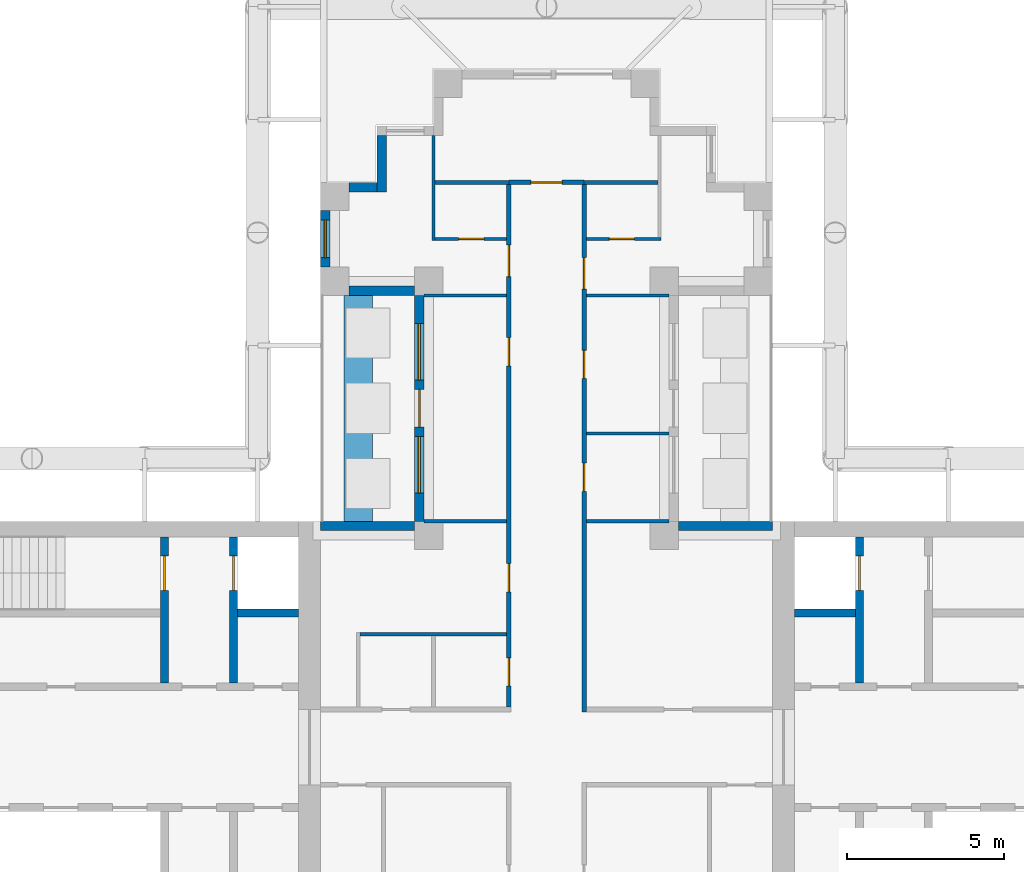
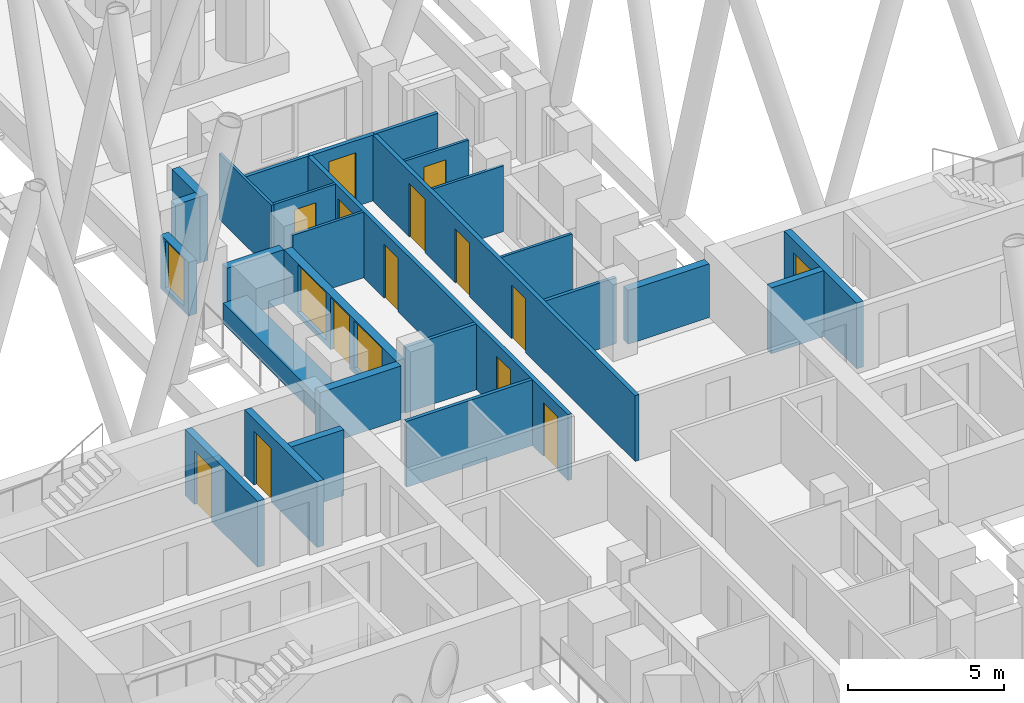
# One storey, part 10 of 16: 27 walls, 14 doors, 3 windows, 17 openings.
"""IFC4 building model written with IfcOpenShell, lengths in metres."""

from ifc_helpers import new_model, si_unit, direction, frame, frame_2d, origin, place, context, subcontext, project, spatial, rectangle, extrude, material, layer, layer_set, type_object, element, fill, save


model = new_model("IFC4")

# Units and contexts
model_context = context("Model", 3, precision=1e-05, world=origin(), true_north=direction((0.0, 1.0)))
body_context = subcontext(model_context, "Body", "Model", "MODEL_VIEW")
ifc_project = project(units=[si_unit("LENGTHUNIT", "METRE"), si_unit("AREAUNIT", "SQUARE_METRE"), si_unit("VOLUMEUNIT", "CUBIC_METRE"), si_unit("PLANEANGLEUNIT", "RADIAN"), si_unit("MASSUNIT", "GRAM", prefix="KILO")], contexts=[model_context])

# Site, building, storey
site_placement = place(None, origin())
site = spatial("IfcSite", under=ifc_project, at=site_placement, CompositionType="ELEMENT")
building_placement = place(site_placement, origin())
building = spatial("IfcBuilding", under=site, at=building_placement, Name="Fustian Cross Tower", CompositionType="ELEMENT")
storey_placement = place(building_placement, frame((0.0, 0.0, 66.89990234375)))
storey = spatial("IfcBuildingStorey", under=building, at=storey_placement, Name="L20", CompositionType="ELEMENT", Elevation=66.89990234375)

# Wall, openings, doors
ifc_material_1 = material(Name="Plasterboard on steel stud", Category="steel")
ifc_layer_1 = layer(ifc_material_1, 0.14990234375)
ifc_layer_set_1 = layer_set([ifc_layer_1], Name="Plasterboard on steel stud")
wall_type_1 = type_object("IfcWallType", Name="COMPARTMENT WALL 150 EI 60", PredefinedType="PARTITIONING", material=ifc_layer_set_1)
wall_1_placement = place(storey_placement, frame((-1.199951171875, 1.27490234375, 0.0), z_axis=(0.0, 0.0, 1.0), x_axis=(0.0, 1.0, 0.0)))
wall_1 = element("IfcWall", 1, at=wall_1_placement, inside=storey, type_object=wall_type_1, Name="Partition 50", PredefinedType="PARTITIONING", context=body_context, shape_type="SweptSolid", body=[
    extrude(rectangle(XDim=16.650146484375, YDim=0.14990234375, at=frame_2d((8.3251953125, 0.0))), origin(), (0.0, 0.0, 1.0), 2.5751953125),
])
opening_1_placement = place(wall_1_placement, frame((0.675048828125, 0.0, 0.0)))
opening_1 = element("IfcOpeningElement", 2, at=opening_1_placement, cuts=wall_1, Name="Opening D11002", PredefinedType="OPENING", context=body_context, shape_type="SweptSolid", body=[
    extrude(rectangle(XDim=0.89990234375, YDim=2.10009765625, at=frame_2d((0.449951171875, 1.050048828125))), frame((0.0, 0.0849609375, 0.0), z_axis=(0.0, -1.0, 0.0), x_axis=(1.0, 0.0, 0.0)), (0.0, 0.0, 1.0), 0.169921875),
])
opening_2_placement = place(wall_1_placement, frame((3.675048828125, 0.0, 0.0)))
opening_2 = element("IfcOpeningElement", 3, at=opening_2_placement, cuts=wall_1, Name="Opening D11004", PredefinedType="OPENING", context=body_context, shape_type="SweptSolid", body=[
    extrude(rectangle(XDim=0.89990234375, YDim=2.10009765625, at=frame_2d((0.449951171875, 1.050048828125))), frame((0.0, 0.0849609375, 0.0), z_axis=(0.0, -1.0, 0.0), x_axis=(1.0, 0.0, 0.0)), (0.0, 0.0, 1.0), 0.169921875),
])
opening_3_placement = place(wall_1_placement, frame((10.875, 0.0, 0.0)))
opening_3 = element("IfcOpeningElement", 4, at=opening_3_placement, cuts=wall_1, Name="Opening D11018", PredefinedType="OPENING", context=body_context, shape_type="SweptSolid", body=[
    extrude(rectangle(XDim=0.89990234375, YDim=2.10009765625, at=frame_2d((0.449951171875, 1.050048828125))), frame((0.0, 0.0849609375, 0.0), z_axis=(0.0, -1.0, 0.0), x_axis=(1.0, 0.0, 0.0)), (0.0, 0.0, 1.0), 0.169921875),
])
opening_4_placement = place(wall_1_placement, frame((13.72509765625, 0.0, 0.0)))
opening_4 = element("IfcOpeningElement", 5, at=opening_4_placement, cuts=wall_1, Name="Opening D11020", PredefinedType="OPENING", context=body_context, shape_type="SweptSolid", body=[
    extrude(rectangle(XDim=1.0, YDim=2.10009765625, at=frame_2d((0.5, 1.050048828125))), frame((0.0, 0.0849609375, 0.0), z_axis=(0.0, -1.0, 0.0), x_axis=(1.0, 0.0, 0.0)), (0.0, 0.0, 1.0), 0.169921875),
])
ifc_material_2 = material(Name="Timber fire door set", Category="wood")
door_type_1 = type_object("IfcDoorType", Name="FIRE SWING DOOR 1000 FD30S", OperationType="SINGLE_SWING_LEFT", PredefinedType="DOOR", material=ifc_material_2)
door_1_placement = place(opening_4_placement, origin())
door_1 = element("IfcDoor", 6, at=door_1_placement, inside=storey, type_object=door_type_1, Name="Door D11020", OperationType="SINGLE_SWING_RIGHT", OverallHeight=2.10009765625, OverallWidth=1.0, PredefinedType="DOOR", context=body_context, shape_type="SweptSolid", body=[
    extrude(rectangle(XDim=1.0, YDim=2.10009765625, at=frame_2d((0.5, 1.050048828125))), frame((0.0, 0.02490234375, 0.0), z_axis=(0.0, -1.0, 0.0), x_axis=(1.0, 0.0, 0.0)), (0.0, 0.0, 1.0), 0.050048828125),
])
fill(opening_4, door_1)
ifc_material_3 = material(Name="Timber fire door set", Category="wood")
door_type_2 = type_object("IfcDoorType", Name="FIRE SWING DOOR 900 FD30S", OperationType="SINGLE_SWING_LEFT", PredefinedType="DOOR", material=ifc_material_3)
door_2_placement = place(opening_1_placement, origin())
door_2 = element("IfcDoor", 7, at=door_2_placement, inside=storey, type_object=door_type_2, Name="Door D11002", OperationType="SINGLE_SWING_LEFT", OverallHeight=2.10009765625, OverallWidth=0.89990234375, PredefinedType="DOOR", context=body_context, shape_type="SweptSolid", body=[
    extrude(rectangle(XDim=0.89990234375, YDim=2.10009765625, at=frame_2d((0.449951171875, 1.050048828125))), frame((0.0, 0.02490234375, 0.0), z_axis=(0.0, -1.0, 0.0), x_axis=(1.0, 0.0, 0.0)), (0.0, 0.0, 1.0), 0.050048828125),
])
fill(opening_1, door_2)
door_3_placement = place(opening_2_placement, origin())
door_3 = element("IfcDoor", 8, at=door_3_placement, inside=storey, type_object=door_type_2, Name="Door D11004", OperationType="SINGLE_SWING_LEFT", OverallHeight=2.10009765625, OverallWidth=0.89990234375, PredefinedType="DOOR", context=body_context, shape_type="SweptSolid", body=[
    extrude(rectangle(XDim=0.89990234375, YDim=2.10009765625, at=frame_2d((0.449951171875, 1.050048828125))), frame((0.0, 0.02490234375, 0.0), z_axis=(0.0, -1.0, 0.0), x_axis=(1.0, 0.0, 0.0)), (0.0, 0.0, 1.0), 0.050048828125),
])
fill(opening_2, door_3)
door_4_placement = place(opening_3_placement, origin())
door_4 = element("IfcDoor", 9, at=door_4_placement, inside=storey, type_object=door_type_2, Name="Door D11018", OperationType="SINGLE_SWING_RIGHT", OverallHeight=2.10009765625, OverallWidth=0.89990234375, PredefinedType="DOOR", context=body_context, shape_type="SweptSolid", body=[
    extrude(rectangle(XDim=0.89990234375, YDim=2.10009765625, at=frame_2d((0.449951171875, 1.050048828125))), frame((0.0, 0.02490234375, 0.0), z_axis=(0.0, -1.0, 0.0), x_axis=(1.0, 0.0, 0.0)), (0.0, 0.0, 1.0), 0.050048828125),
])
fill(opening_3, door_4)

# Wall, opening, door
wall_2_placement = place(storey_placement, frame((-1.199951171875, 18.0, 0.0), z_axis=(0.0, 0.0, 1.0), x_axis=(1.0, 0.0, 0.0)))
wall_2 = element("IfcWall", 10, at=wall_2_placement, inside=storey, type_object=wall_type_1, Name="Partition 51", PredefinedType="PARTITIONING", context=body_context, shape_type="SweptSolid", body=[
    extrude(rectangle(XDim=2.39990234375, YDim=0.14990234375, at=frame_2d((1.199951171875, 0.0))), origin(), (0.0, 0.0, 1.0), 2.5751953125),
])
opening_5_placement = place(wall_2_placement, frame((0.699951171875, 0.0, 0.0)))
opening_5 = element("IfcOpeningElement", 11, at=opening_5_placement, cuts=wall_2, Name="Opening D11017", PredefinedType="OPENING", context=body_context, shape_type="SweptSolid", body=[
    extrude(rectangle(XDim=1.0, YDim=2.10009765625, at=frame_2d((0.5, 1.050048828125))), frame((0.0, 0.0849609375, 0.0), z_axis=(0.0, -1.0, 0.0), x_axis=(1.0, 0.0, 0.0)), (0.0, 0.0, 1.0), 0.169921875),
])
door_5_placement = place(opening_5_placement, origin())
door_5 = element("IfcDoor", 12, at=door_5_placement, inside=storey, type_object=door_type_1, Name="Door D11017", OperationType="SINGLE_SWING_LEFT", OverallHeight=2.10009765625, OverallWidth=1.0, PredefinedType="DOOR", context=body_context, shape_type="SweptSolid", body=[
    extrude(rectangle(XDim=1.0, YDim=2.10009765625, at=frame_2d((0.5, 1.050048828125))), frame((0.0, 0.02490234375, 0.0), z_axis=(0.0, -1.0, 0.0), x_axis=(1.0, 0.0, 0.0)), (0.0, 0.0, 1.0), 0.050048828125),
])
fill(opening_5, door_5)

# Wall, openings, doors
wall_3_placement = place(storey_placement, frame((1.199951171875, 1.125, 0.0), z_axis=(0.0, 0.0, 1.0), x_axis=(0.0, 1.0, 0.0)))
wall_3 = element("IfcWall", 13, at=wall_3_placement, inside=storey, type_object=wall_type_1, Name="Partition 60", PredefinedType="PARTITIONING", context=body_context, shape_type="SweptSolid", body=[
    extrude(rectangle(XDim=16.800048828125, YDim=0.14990234375, at=frame_2d((8.39990234375, 0.0))), origin(), (0.0, 0.0, 1.0), 2.5751953125),
])
opening_6_placement = place(wall_3_placement, frame((7.02490234375, 0.0, 0.0)))
opening_6 = element("IfcOpeningElement", 14, at=opening_6_placement, cuts=wall_3, Name="Opening D11021", PredefinedType="OPENING", context=body_context, shape_type="SweptSolid", body=[
    extrude(rectangle(XDim=0.89990234375, YDim=2.10009765625, at=frame_2d((0.449951171875, 1.050048828125))), frame((0.0, 0.0849609375, 0.0), z_axis=(0.0, -1.0, 0.0), x_axis=(1.0, 0.0, 0.0)), (0.0, 0.0, 1.0), 0.169921875),
])
opening_7_placement = place(wall_3_placement, frame((10.625, 0.0, 0.0)))
opening_7 = element("IfcOpeningElement", 15, at=opening_7_placement, cuts=wall_3, Name="Opening D11022", PredefinedType="OPENING", context=body_context, shape_type="SweptSolid", body=[
    extrude(rectangle(XDim=0.89990234375, YDim=2.10009765625, at=frame_2d((0.449951171875, 1.050048828125))), frame((0.0, 0.0849609375, 0.0), z_axis=(0.0, -1.0, 0.0), x_axis=(1.0, 0.0, 0.0)), (0.0, 0.0, 1.0), 0.169921875),
])
opening_8_placement = place(wall_3_placement, frame((13.47509765625, 0.0, 0.0)))
opening_8 = element("IfcOpeningElement", 16, at=opening_8_placement, cuts=wall_3, Name="Opening D11024", PredefinedType="OPENING", context=body_context, shape_type="SweptSolid", body=[
    extrude(rectangle(XDim=1.0, YDim=2.10009765625, at=frame_2d((0.5, 1.050048828125))), frame((0.0, 0.0849609375, 0.0), z_axis=(0.0, -1.0, 0.0), x_axis=(1.0, 0.0, 0.0)), (0.0, 0.0, 1.0), 0.169921875),
])
door_6_placement = place(opening_8_placement, frame((1.0, 0.0, 0.0), z_axis=(0.0, 0.0, 1.0), x_axis=(-1.0, 0.0, 0.0)))
door_6 = element("IfcDoor", 17, at=door_6_placement, inside=storey, type_object=door_type_1, Name="Door D11024", OperationType="SINGLE_SWING_RIGHT", OverallHeight=2.10009765625, OverallWidth=1.0, PredefinedType="DOOR", context=body_context, shape_type="SweptSolid", body=[
    extrude(rectangle(XDim=1.0, YDim=2.10009765625, at=frame_2d((0.5, 1.050048828125))), frame((0.0, 0.02490234375, 0.0), z_axis=(0.0, -1.0, 0.0), x_axis=(1.0, 0.0, 0.0)), (0.0, 0.0, 1.0), 0.050048828125),
])
fill(opening_8, door_6)
door_7_placement = place(opening_6_placement, frame((0.89990234375, 0.0, 0.0), z_axis=(0.0, 0.0, 1.0), x_axis=(-1.0, 0.0, 0.0)))
door_7 = element("IfcDoor", 18, at=door_7_placement, inside=storey, type_object=door_type_2, Name="Door D11021", OperationType="SINGLE_SWING_RIGHT", OverallHeight=2.10009765625, OverallWidth=0.89990234375, PredefinedType="DOOR", context=body_context, shape_type="SweptSolid", body=[
    extrude(rectangle(XDim=0.89990234375, YDim=2.10009765625, at=frame_2d((0.449951171875, 1.050048828125))), frame((0.0, 0.02490234375, 0.0), z_axis=(0.0, -1.0, 0.0), x_axis=(1.0, 0.0, 0.0)), (0.0, 0.0, 1.0), 0.050048828125),
])
fill(opening_6, door_7)
door_8_placement = place(opening_7_placement, frame((0.89990234375, 0.0, 0.0), z_axis=(0.0, 0.0, 1.0), x_axis=(-1.0, 0.0, 0.0)))
door_8 = element("IfcDoor", 19, at=door_8_placement, inside=storey, type_object=door_type_2, Name="Door D11022", OperationType="SINGLE_SWING_RIGHT", OverallHeight=2.10009765625, OverallWidth=0.89990234375, PredefinedType="DOOR", context=body_context, shape_type="SweptSolid", body=[
    extrude(rectangle(XDim=0.89990234375, YDim=2.10009765625, at=frame_2d((0.449951171875, 1.050048828125))), frame((0.0, 0.02490234375, 0.0), z_axis=(0.0, -1.0, 0.0), x_axis=(1.0, 0.0, 0.0)), (0.0, 0.0, 1.0), 0.050048828125),
])
fill(opening_7, door_8)

# Wall
ifc_material_4 = material(Name="Concrete C50/60", Category="concrete")
ifc_layer_2 = layer(ifc_material_4, 0.25)
ifc_layer_set_2 = layer_set([ifc_layer_2], Name="Concrete C50/60")
wall_type_2 = type_object("IfcWallType", Name="CORE SHAFT WALL 250 C50/60", PredefinedType="SHEAR", material=ifc_layer_set_2)
wall_4_placement = place(storey_placement, frame((7.89990234375, 4.27490234375, 0.0), z_axis=(0.0, 0.0, 1.0), x_axis=(1.0, 0.0, 0.0)))
element("IfcWall", 20, at=wall_4_placement, inside=storey, type_object=wall_type_2, Name="Core shaft wall", PredefinedType="SHEAR", context=body_context, shape_type="SweptSolid", body=[
    extrude(rectangle(XDim=1.9501953125, YDim=0.25, at=frame_2d((0.97509765625, 0.0))), origin(), (0.0, 0.0, 1.0), 2.5751953125),
])

# Wall, opening, door
wall_5_placement = place(storey_placement, frame((9.97509765625, 2.050048828125, 0.0), z_axis=(0.0, 0.0, 1.0), x_axis=(0.0, 1.0, 0.0)))
wall_5 = element("IfcWall", 21, at=wall_5_placement, inside=storey, type_object=wall_type_2, Name="Core shaft wall", PredefinedType="SHEAR", context=body_context, shape_type="SweptSolid", body=[
    extrude(rectangle(XDim=4.64990234375, YDim=0.25, at=frame_2d((2.324951171875, 0.0))), origin(), (0.0, 0.0, 1.0), 2.5751953125),
])
opening_9_placement = place(wall_5_placement, frame((2.949951171875, 0.0, 0.0)))
opening_9 = element("IfcOpeningElement", 22, at=opening_9_placement, cuts=wall_5, Name="Opening LD", PredefinedType="OPENING", context=body_context, shape_type="SweptSolid", body=[
    extrude(rectangle(XDim=1.10009765625, YDim=2.10009765625, at=frame_2d((0.550048828125, 1.050048828125))), frame((0.0, 0.135009765625, 0.0), z_axis=(0.0, -1.0, 0.0), x_axis=(1.0, 0.0, 0.0)), (0.0, 0.0, 1.0), 0.27001953125),
])
ifc_material_5 = material(Name="Stainless steel", Category="steel")
door_type_3 = type_object("IfcDoorType", Name="LIFT LANDING DOOR 1100X2100", OperationType="SLIDING_TO_LEFT", PredefinedType="DOOR", material=ifc_material_5)
door_9_placement = place(opening_9_placement, origin())
door_9 = element("IfcDoor", 23, at=door_9_placement, inside=storey, type_object=door_type_3, Name="Landing door FL1", OperationType="SLIDING_TO_LEFT", OverallHeight=2.10009765625, OverallWidth=1.10009765625, PredefinedType="DOOR", context=body_context, shape_type="SweptSolid", body=[
    extrude(rectangle(XDim=1.10009765625, YDim=2.10009765625, at=frame_2d((0.550048828125, 1.050048828125))), frame((0.0, 0.02490234375, 0.0), z_axis=(0.0, -1.0, 0.0), x_axis=(1.0, 0.0, 0.0)), (0.0, 0.0, 1.0), 0.050048828125),
])
fill(opening_9, door_9)

# Wall
wall_6_placement = place(storey_placement, frame((-7.89990234375, 4.27490234375, 0.0), z_axis=(0.0, 0.0, 1.0), x_axis=(-1.0, 0.0, 0.0)))
element("IfcWall", 24, at=wall_6_placement, inside=storey, type_object=wall_type_2, Name="Core shaft wall", PredefinedType="SHEAR", context=body_context, shape_type="SweptSolid", body=[
    extrude(rectangle(XDim=1.9501953125, YDim=0.25, at=frame_2d((0.97509765625, 0.0))), origin(), (0.0, 0.0, 1.0), 2.5751953125),
])

# Wall, opening, door
wall_7_placement = place(storey_placement, frame((-9.97509765625, 2.050048828125, 0.0), z_axis=(0.0, 0.0, 1.0), x_axis=(0.0, 1.0, 0.0)))
wall_7 = element("IfcWall", 25, at=wall_7_placement, inside=storey, type_object=wall_type_2, Name="Core shaft wall", PredefinedType="SHEAR", context=body_context, shape_type="SweptSolid", body=[
    extrude(rectangle(XDim=4.64990234375, YDim=0.25, at=frame_2d((2.324951171875, 0.0))), origin(), (0.0, 0.0, 1.0), 2.5751953125),
])
opening_10_placement = place(wall_7_placement, frame((2.949951171875, 0.0, 0.0)))
opening_10 = element("IfcOpeningElement", 26, at=opening_10_placement, cuts=wall_7, Name="Opening LD", PredefinedType="OPENING", context=body_context, shape_type="SweptSolid", body=[
    extrude(rectangle(XDim=1.10009765625, YDim=2.10009765625, at=frame_2d((0.550048828125, 1.050048828125))), frame((0.0, 0.135009765625, 0.0), z_axis=(0.0, -1.0, 0.0), x_axis=(1.0, 0.0, 0.0)), (0.0, 0.0, 1.0), 0.27001953125),
])
door_10_placement = place(opening_10_placement, origin())
door_10 = element("IfcDoor", 27, at=door_10_placement, inside=storey, type_object=door_type_3, Name="Landing door FL1W", OperationType="SLIDING_TO_LEFT", OverallHeight=2.10009765625, OverallWidth=1.10009765625, PredefinedType="DOOR", context=body_context, shape_type="SweptSolid", body=[
    extrude(rectangle(XDim=1.10009765625, YDim=2.10009765625, at=frame_2d((0.550048828125, 1.050048828125))), frame((0.0, 0.02490234375, 0.0), z_axis=(0.0, -1.0, 0.0), x_axis=(1.0, 0.0, 0.0)), (0.0, 0.0, 1.0), 0.050048828125),
])
fill(opening_10, door_10)

wall_8_placement = place(storey_placement, frame((-12.175048828125, 2.050048828125, 0.0), z_axis=(0.0, 0.0, 1.0), x_axis=(0.0, 1.0, 0.0)))
wall_8 = element("IfcWall", 28, at=wall_8_placement, inside=storey, type_object=wall_type_2, Name="Core shaft wall", PredefinedType="SHEAR", context=body_context, shape_type="SweptSolid", body=[
    extrude(rectangle(XDim=4.64990234375, YDim=0.25, at=frame_2d((2.324951171875, 0.0))), origin(), (0.0, 0.0, 1.0), 2.5751953125),
])
opening_11_placement = place(wall_8_placement, frame((2.949951171875, 0.0, 0.0)))
opening_11 = element("IfcOpeningElement", 29, at=opening_11_placement, cuts=wall_8, Name="Opening CD-09-20", PredefinedType="OPENING", context=body_context, shape_type="SweptSolid", body=[
    extrude(rectangle(XDim=1.10009765625, YDim=2.10009765625, at=frame_2d((0.550048828125, 1.050048828125))), frame((0.0, 0.135009765625, 0.0), z_axis=(0.0, -1.0, 0.0), x_axis=(1.0, 0.0, 0.0)), (0.0, 0.0, 1.0), 0.27001953125),
])
ifc_material_6 = material(Name="Steel", Category="steel")
door_type_4 = type_object("IfcDoorType", Name="FIRE DOOR FD60S 1100X2100", OperationType="SINGLE_SWING_LEFT", PredefinedType="DOOR", material=ifc_material_6)
door_11_placement = place(opening_11_placement, origin())
door_11 = element("IfcDoor", 30, at=door_11_placement, inside=storey, type_object=door_type_4, Name="Core door CD-09-20", OperationType="SINGLE_SWING_LEFT", OverallHeight=2.10009765625, OverallWidth=1.10009765625, PredefinedType="DOOR", context=body_context, shape_type="SweptSolid", body=[
    extrude(rectangle(XDim=1.10009765625, YDim=2.10009765625, at=frame_2d((0.550048828125, 1.050048828125))), frame((0.0, 0.02490234375, 0.0), z_axis=(0.0, -1.0, 0.0), x_axis=(1.0, 0.0, 0.0)), (0.0, 0.0, 1.0), 0.050048828125),
])
fill(opening_11, door_11)

# Walls
ifc_material_7 = material(Name="Plasterboard on steel stud", Category="steel")
ifc_layer_3 = layer(ifc_material_7, 0.10009765625)
ifc_layer_set_3 = layer_set([ifc_layer_3], Name="Plasterboard on steel stud")
wall_type_3 = type_object("IfcWallType", Name="PARTITION 100 STUD", PredefinedType="PARTITIONING", material=ifc_layer_set_3)
wall_9_placement = place(storey_placement, frame((-3.89990234375, 14.39990234375, 0.0), z_axis=(0.0, 0.0, 1.0), x_axis=(1.0, 0.0, 0.0)))
element("IfcWall", 31, at=wall_9_placement, inside=storey, type_object=wall_type_3, Name="Partition 42", PredefinedType="PARTITIONING", context=body_context, shape_type="SweptSolid", body=[
    extrude(rectangle(XDim=2.625, YDim=0.10009765625, at=frame_2d((1.3125, 0.0))), origin(), (0.0, 0.0, 1.0), 2.5751953125),
])
wall_10_placement = place(storey_placement, frame((-3.60009765625, 16.14990234375, 0.0), z_axis=(0.0, 0.0, 1.0), x_axis=(0.0, 1.0, 0.0)))
element("IfcWall", 32, at=wall_10_placement, inside=storey, type_object=wall_type_3, Name="Partition 44", PredefinedType="PARTITIONING", context=body_context, shape_type="SweptSolid", body=[
    extrude(rectangle(XDim=3.35009765625, YDim=0.10009765625, at=frame_2d((1.675048828125, 0.0))), origin(), (0.0, 0.0, 1.0), 2.5751953125),
])

# Wall, opening, door
wall_11_placement = place(storey_placement, frame((-3.550048828125, 16.199951171875, 0.0), z_axis=(0.0, 0.0, 1.0), x_axis=(1.0, 0.0, 0.0)))
wall_11 = element("IfcWall", 33, at=wall_11_placement, inside=storey, type_object=wall_type_3, Name="Partition 45", PredefinedType="PARTITIONING", context=body_context, shape_type="SweptSolid", body=[
    extrude(rectangle(XDim=2.275146484375, YDim=0.10009765625, at=frame_2d((1.1376953125, 0.0))), origin(), (0.0, 0.0, 1.0), 2.5751953125),
])
opening_12_placement = place(wall_11_placement, frame((0.75, 0.0, 0.0)))
opening_12 = element("IfcOpeningElement", 34, at=opening_12_placement, cuts=wall_11, Name="Opening D11019", PredefinedType="OPENING", context=body_context, shape_type="SweptSolid", body=[
    extrude(rectangle(XDim=0.800048828125, YDim=2.10009765625, at=frame_2d((0.39990234375, 1.050048828125))), frame((0.0, 0.06005859375, 0.0), z_axis=(0.0, -1.0, 0.0), x_axis=(1.0, 0.0, 0.0)), (0.0, 0.0, 1.0), 0.1201171875),
])
ifc_material_8 = material(Name="Painted timber", Category="wood")
door_type_5 = type_object("IfcDoorType", Name="SWING DOOR 800", OperationType="SINGLE_SWING_LEFT", PredefinedType="DOOR", material=ifc_material_8)
door_12_placement = place(opening_12_placement, origin())
door_12 = element("IfcDoor", 35, at=door_12_placement, inside=storey, type_object=door_type_5, Name="Door D11019", OperationType="SINGLE_SWING_LEFT", OverallHeight=2.10009765625, OverallWidth=0.800048828125, PredefinedType="DOOR", context=body_context, shape_type="SweptSolid", body=[
    extrude(rectangle(XDim=0.800048828125, YDim=2.10009765625, at=frame_2d((0.39990234375, 1.050048828125))), frame((0.0, 0.02490234375, 0.0), z_axis=(0.0, -1.0, 0.0), x_axis=(1.0, 0.0, 0.0)), (0.0, 0.0, 1.0), 0.050048828125),
])
fill(opening_12, door_12)

# Walls
for number, where, z_axis, x_axis, name in (
    (36, (1.27490234375, 10.0, 0.0), (0.0, 0.0, 1.0), (1.0, 0.0, 0.0), "Partition 63"),
    (37, (1.27490234375, 14.39990234375, 0.0), (0.0, 0.0, 1.0), (1.0, 0.0, 0.0), "Partition 64"),
):
    element("IfcWall", number, at=place(storey_placement, frame(where, z_axis=z_axis, x_axis=x_axis)), inside=storey, type_object=wall_type_3, Name=name, PredefinedType="PARTITIONING", context=body_context, shape_type="SweptSolid", body=[
        extrude(rectangle(XDim=2.625, YDim=0.10009765625, at=frame_2d((1.3125, 0.0))), origin(), (0.0, 0.0, 1.0), 2.5751953125),
    ])

# Wall, opening, door
wall_12_placement = place(storey_placement, frame((1.27490234375, 16.199951171875, 0.0), z_axis=(0.0, 0.0, 1.0), x_axis=(1.0, 0.0, 0.0)))
wall_12 = element("IfcWall", 38, at=wall_12_placement, inside=storey, type_object=wall_type_3, Name="Partition 65", PredefinedType="PARTITIONING", context=body_context, shape_type="SweptSolid", body=[
    extrude(rectangle(XDim=2.375, YDim=0.10009765625, at=frame_2d((1.1875, 0.0))), origin(), (0.0, 0.0, 1.0), 2.5751953125),
])
opening_13_placement = place(wall_12_placement, frame((0.72509765625, 0.0, 0.0)))
opening_13 = element("IfcOpeningElement", 39, at=opening_13_placement, cuts=wall_12, Name="Opening D11023", PredefinedType="OPENING", context=body_context, shape_type="SweptSolid", body=[
    extrude(rectangle(XDim=0.800048828125, YDim=2.10009765625, at=frame_2d((0.39990234375, 1.050048828125))), frame((0.0, 0.06005859375, 0.0), z_axis=(0.0, -1.0, 0.0), x_axis=(1.0, 0.0, 0.0)), (0.0, 0.0, 1.0), 0.1201171875),
])
door_13_placement = place(opening_13_placement, origin())
door_13 = element("IfcDoor", 40, at=door_13_placement, inside=storey, type_object=door_type_5, Name="Door D11023", OperationType="SINGLE_SWING_LEFT", OverallHeight=2.10009765625, OverallWidth=0.800048828125, PredefinedType="DOOR", context=body_context, shape_type="SweptSolid", body=[
    extrude(rectangle(XDim=0.800048828125, YDim=2.10009765625, at=frame_2d((0.39990234375, 1.050048828125))), frame((0.0, 0.02490234375, 0.0), z_axis=(0.0, -1.0, 0.0), x_axis=(1.0, 0.0, 0.0)), (0.0, 0.0, 1.0), 0.050048828125),
])
fill(opening_13, door_13)

# Walls
ifc_material_9 = material(Name="Concrete C40/50", Category="concrete")
ifc_layer_4 = layer(ifc_material_9, 0.89990234375)
ifc_layer_set_4 = layer_set([ifc_layer_4], Name="Concrete C40/50")
wall_type_4 = type_object("IfcWallType", Name="PK1 PLANTER 900", PredefinedType="PARAPET", material=ifc_layer_set_4)
wall_13_placement = place(storey_placement, frame((-6.0, 7.199951171875, 0.0), z_axis=(0.0, 0.0, 1.0), x_axis=(0.0, 1.0, 0.0)))
element("IfcWall", 41, at=wall_13_placement, inside=storey, type_object=wall_type_4, Name="PLANTER", PredefinedType="PARAPET", context=body_context, shape_type="SweptSolid", body=[
    extrude(rectangle(XDim=7.199951171875, YDim=0.89990234375, at=frame_2d((3.60009765625, 0.0))), origin(), (0.0, 0.0, 1.0), 0.800048828125),
])
ifc_material_10 = material(Name="Plasterboard on steel stud", Category="steel")
ifc_layer_5 = layer(ifc_material_10, 0.125)
ifc_layer_set_5 = layer_set([ifc_layer_5], Name="Plasterboard on steel stud")
wall_type_5 = type_object("IfcWallType", Name="WET WALL 125 STUD", PredefinedType="PARTITIONING", material=ifc_layer_set_5)
wall_14_placement = place(storey_placement, frame((-5.9375, 3.60009765625, 0.0), z_axis=(0.0, 0.0, 1.0), x_axis=(1.0, 0.0, 0.0)))
element("IfcWall", 42, at=wall_14_placement, inside=storey, type_object=wall_type_5, Name="Partition 26", PredefinedType="PARTITIONING", context=body_context, shape_type="SweptSolid", body=[
    extrude(rectangle(XDim=4.66259765625, YDim=0.125, at=frame_2d((2.331298828125, 0.0))), origin(), (0.0, 0.0, 1.0), 2.5751953125),
])
wall_15_placement = place(storey_placement, frame((-3.89990234375, 7.199951171875, 0.0), z_axis=(0.0, 0.0, 1.0), x_axis=(1.0, 0.0, 0.0)))
element("IfcWall", 43, at=wall_15_placement, inside=storey, type_object=wall_type_5, Name="Partition 41", PredefinedType="PARTITIONING", context=body_context, shape_type="SweptSolid", body=[
    extrude(rectangle(XDim=2.625, YDim=0.125, at=frame_2d((1.3125, 0.0))), origin(), (0.0, 0.0, 1.0), 2.5751953125),
])
wall_16_placement = place(storey_placement, frame((-3.550048828125, 18.0, 0.0), z_axis=(0.0, 0.0, 1.0), x_axis=(1.0, 0.0, 0.0)))
element("IfcWall", 44, at=wall_16_placement, inside=storey, type_object=wall_type_5, Name="Partition 46", PredefinedType="PARTITIONING", context=body_context, shape_type="SweptSolid", body=[
    extrude(rectangle(XDim=2.35009765625, YDim=0.125, at=frame_2d((1.175048828125, 0.0))), origin(), (0.0, 0.0, 1.0), 2.5751953125),
])
wall_17_placement = place(storey_placement, frame((1.27490234375, 7.199951171875, 0.0), z_axis=(0.0, 0.0, 1.0), x_axis=(1.0, 0.0, 0.0)))
element("IfcWall", 45, at=wall_17_placement, inside=storey, type_object=wall_type_5, Name="Partition 62", PredefinedType="PARTITIONING", context=body_context, shape_type="SweptSolid", body=[
    extrude(rectangle(XDim=2.625, YDim=0.125, at=frame_2d((1.3125, 0.0))), origin(), (0.0, 0.0, 1.0), 2.5751953125),
])
wall_18_placement = place(storey_placement, frame((1.199951171875, 18.0, 0.0), z_axis=(0.0, 0.0, 1.0), x_axis=(1.0, 0.0, 0.0)))
element("IfcWall", 46, at=wall_18_placement, inside=storey, type_object=wall_type_5, Name="Partition 66", PredefinedType="PARTITIONING", context=body_context, shape_type="SweptSolid", body=[
    extrude(rectangle(XDim=2.35009765625, YDim=0.125, at=frame_2d((1.175048828125, 0.0))), origin(), (0.0, 0.0, 1.0), 2.5751953125),
])
ifc_material_11 = material(Name="Dark aluminium cladding on insulated backing wall", Category="aluminium")
ifc_layer_6 = layer(ifc_material_11, 0.300048828125)
ifc_layer_set_6 = layer_set([ifc_layer_6], Name="Dark aluminium cladding on insulated backing wall")
wall_type_6 = type_object("IfcWallType", Name="XW1 EXTERNAL WALL 300", PredefinedType="SOLIDWALL", material=ifc_layer_set_6)
wall_19_placement = place(storey_placement, frame((7.199951171875, 7.050048828125, 0.0), z_axis=(0.0, 0.0, 1.0), x_axis=(-1.0, 0.0, 0.0)))
element("IfcWall", 47, at=wall_19_placement, inside=storey, type_object=wall_type_6, Name="External wall", PredefinedType="SOLIDWALL", context=body_context, shape_type="SweptSolid", body=[
    extrude(rectangle(XDim=3.0, YDim=0.300048828125, at=frame_2d((1.5, 0.0))), origin(), (0.0, 0.0, 1.0), 2.10009765625),
])
wall_20_placement = place(storey_placement, frame((-5.25, 19.5, 0.0), z_axis=(0.0, 0.0, 1.0), x_axis=(0.0, -1.0, 0.0)))
element("IfcWall", 48, at=wall_20_placement, inside=storey, type_object=wall_type_6, Name="External wall", PredefinedType="SOLIDWALL", context=body_context, shape_type="SweptSolid", body=[
    extrude(rectangle(XDim=1.800048828125, YDim=0.300048828125, at=frame_2d((0.89990234375, 0.0))), origin(), (0.0, 0.0, 1.0), 2.5751953125),
])
wall_21_placement = place(storey_placement, frame((-5.39990234375, 17.85009765625, 0.0), z_axis=(0.0, 0.0, 1.0), x_axis=(-1.0, 0.0, 0.0)))
element("IfcWall", 49, at=wall_21_placement, inside=storey, type_object=wall_type_6, Name="External wall", PredefinedType="SOLIDWALL", context=body_context, shape_type="SweptSolid", body=[
    extrude(rectangle(XDim=0.900146484375, YDim=0.300048828125, at=frame_2d((0.4501953125, 0.0))), origin(), (0.0, 0.0, 1.0), 2.5751953125),
])

# Wall, opening, window
wall_22_placement = place(storey_placement, frame((-7.050048828125, 17.10009765625, 0.0), z_axis=(0.0, 0.0, 1.0), x_axis=(0.0, -1.0, 0.0)))
wall_22 = element("IfcWall", 50, at=wall_22_placement, inside=storey, type_object=wall_type_6, Name="External wall", PredefinedType="SOLIDWALL", context=body_context, shape_type="SweptSolid", body=[
    extrude(rectangle(XDim=1.800048828125, YDim=0.300048828125, at=frame_2d((0.89990234375, 0.0))), origin(), (0.0, 0.0, 1.0), 2.10009765625),
])
opening_14_placement = place(wall_22_placement, frame((0.300048828125, 0.0, 0.199951171875)))
opening_14 = element("IfcOpeningElement", 51, at=opening_14_placement, cuts=wall_22, Name="Opening WN3", PredefinedType="OPENING", context=body_context, shape_type="SweptSolid", body=[
    extrude(rectangle(XDim=1.199951171875, YDim=1.85009765625, at=frame_2d((0.60009765625, 0.925048828125))), frame((0.0, 0.159912109375, 0.0), z_axis=(0.0, -1.0, 0.0), x_axis=(1.0, 0.0, 0.0)), (0.0, 0.0, 1.0), 0.320068359375),
])
ifc_material_12 = material(Name="Dark anodised aluminium and double glazing", Category="aluminium")
window_type_1 = type_object("IfcWindowType", Name="WN3 WINDOW 1200X1850", PartitioningType="SINGLE_PANEL", PredefinedType="WINDOW", material=ifc_material_12)
window_1_placement = place(opening_14_placement, origin())
window_1 = element("IfcWindow", 52, at=window_1_placement, inside=storey, type_object=window_type_1, Name="Window", OverallHeight=1.85009765625, OverallWidth=1.199951171875, PartitioningType="SINGLE_PANEL", PredefinedType="WINDOW", context=body_context, shape_type="SweptSolid", body=[
    extrude(rectangle(XDim=1.199951171875, YDim=1.85009765625, at=frame_2d((0.60009765625, 0.925048828125))), frame((0.0, 0.030029296875, 0.0), z_axis=(0.0, -1.0, 0.0), x_axis=(1.0, 0.0, 0.0)), (0.0, 0.0, 1.0), 0.06005859375),
])
fill(opening_14, window_1)

# Wall
wall_23_placement = place(storey_placement, frame((-6.300048828125, 14.550048828125, 0.0), z_axis=(0.0, 0.0, 1.0), x_axis=(1.0, 0.0, 0.0)))
element("IfcWall", 53, at=wall_23_placement, inside=storey, type_object=wall_type_6, Name="External wall", PredefinedType="SOLIDWALL", context=body_context, shape_type="SweptSolid", body=[
    extrude(rectangle(XDim=2.10009765625, YDim=0.300048828125, at=frame_2d((1.050048828125, 0.0))), origin(), (0.0, 0.0, 1.0), 2.10009765625),
])

# Wall, openings, door, windows
wall_24_placement = place(storey_placement, frame((-4.050048828125, 14.39990234375, 0.0), z_axis=(0.0, 0.0, 1.0), x_axis=(0.0, -1.0, 0.0)))
wall_24 = element("IfcWall", 54, at=wall_24_placement, inside=storey, type_object=wall_type_6, Name="External wall", PredefinedType="SOLIDWALL", context=body_context, shape_type="SweptSolid", body=[
    extrude(rectangle(XDim=7.199951171875, YDim=0.300048828125, at=frame_2d((3.60009765625, 0.0))), origin(), (0.0, 0.0, 1.0), 2.10009765625),
])
opening_15_placement = place(wall_24_placement, frame((3.0, 0.0, 0.0)))
opening_15 = element("IfcOpeningElement", 55, at=opening_15_placement, cuts=wall_24, Name="Opening XD2", PredefinedType="OPENING", context=body_context, shape_type="SweptSolid", body=[
    extrude(rectangle(XDim=1.199951171875, YDim=2.050048828125, at=frame_2d((0.60009765625, 1.02490234375))), frame((0.0, 0.159912109375, 0.0), z_axis=(0.0, -1.0, 0.0), x_axis=(1.0, 0.0, 0.0)), (0.0, 0.0, 1.0), 0.320068359375),
])
opening_16_placement = place(wall_24_placement, frame((0.89990234375, 0.0, 0.199951171875)))
opening_16 = element("IfcOpeningElement", 56, at=opening_16_placement, cuts=wall_24, Name="Opening WN2", PredefinedType="OPENING", context=body_context, shape_type="SweptSolid", body=[
    extrude(rectangle(XDim=1.800048828125, YDim=1.85009765625, at=frame_2d((0.89990234375, 0.925048828125))), frame((0.0, 0.159912109375, 0.0), z_axis=(0.0, -1.0, 0.0), x_axis=(1.0, 0.0, 0.0)), (0.0, 0.0, 1.0), 0.320068359375),
])
opening_17_placement = place(wall_24_placement, frame((4.5, 0.0, 0.199951171875)))
opening_17 = element("IfcOpeningElement", 57, at=opening_17_placement, cuts=wall_24, Name="Opening WN2", PredefinedType="OPENING", context=body_context, shape_type="SweptSolid", body=[
    extrude(rectangle(XDim=1.800048828125, YDim=1.85009765625, at=frame_2d((0.89990234375, 0.925048828125))), frame((0.0, 0.159912109375, 0.0), z_axis=(0.0, -1.0, 0.0), x_axis=(1.0, 0.0, 0.0)), (0.0, 0.0, 1.0), 0.320068359375),
])
ifc_material_13 = material(Name="Dark anodised aluminium and double glazing", Category="aluminium")
door_type_6 = type_object("IfcDoorType", Name="ED1 BALCONY DOOR 1200X2050", OperationType="SINGLE_SWING_LEFT", PredefinedType="DOOR", material=ifc_material_13)
door_14_placement = place(opening_15_placement, origin())
door_14 = element("IfcDoor", 58, at=door_14_placement, inside=storey, type_object=door_type_6, Name="Balcony door", OperationType="SINGLE_SWING_LEFT", OverallHeight=2.050048828125, OverallWidth=1.199951171875, PredefinedType="DOOR", context=body_context, shape_type="SweptSolid", body=[
    extrude(rectangle(XDim=1.199951171875, YDim=2.050048828125, at=frame_2d((0.60009765625, 1.02490234375))), frame((0.0, 0.02490234375, 0.0), z_axis=(0.0, -1.0, 0.0), x_axis=(1.0, 0.0, 0.0)), (0.0, 0.0, 1.0), 0.050048828125),
])
fill(opening_15, door_14)
ifc_material_14 = material(Name="Dark anodised aluminium and double glazing", Category="aluminium")
window_type_2 = type_object("IfcWindowType", Name="WN2 WINDOW 1800X1850", PartitioningType="SINGLE_PANEL", PredefinedType="WINDOW", material=ifc_material_14)
window_2_placement = place(opening_16_placement, origin())
window_2 = element("IfcWindow", 59, at=window_2_placement, inside=storey, type_object=window_type_2, Name="Window", OverallHeight=1.85009765625, OverallWidth=1.800048828125, PartitioningType="SINGLE_PANEL", PredefinedType="WINDOW", context=body_context, shape_type="SweptSolid", body=[
    extrude(rectangle(XDim=1.800048828125, YDim=1.85009765625, at=frame_2d((0.89990234375, 0.925048828125))), frame((0.0, 0.030029296875, 0.0), z_axis=(0.0, -1.0, 0.0), x_axis=(1.0, 0.0, 0.0)), (0.0, 0.0, 1.0), 0.06005859375),
])
fill(opening_16, window_2)
window_3_placement = place(opening_17_placement, origin())
window_3 = element("IfcWindow", 60, at=window_3_placement, inside=storey, type_object=window_type_2, Name="Window", OverallHeight=1.85009765625, OverallWidth=1.800048828125, PartitioningType="SINGLE_PANEL", PredefinedType="WINDOW", context=body_context, shape_type="SweptSolid", body=[
    extrude(rectangle(XDim=1.800048828125, YDim=1.85009765625, at=frame_2d((0.89990234375, 0.925048828125))), frame((0.0, 0.030029296875, 0.0), z_axis=(0.0, -1.0, 0.0), x_axis=(1.0, 0.0, 0.0)), (0.0, 0.0, 1.0), 0.06005859375),
])
fill(opening_17, window_3)

# Wall
wall_25_placement = place(storey_placement, frame((-4.199951171875, 7.050048828125, 0.0), z_axis=(0.0, 0.0, 1.0), x_axis=(-1.0, 0.0, 0.0)))
element("IfcWall", 61, at=wall_25_placement, inside=storey, type_object=wall_type_6, Name="External wall", PredefinedType="SOLIDWALL", context=body_context, shape_type="SweptSolid", body=[
    extrude(rectangle(XDim=3.0, YDim=0.300048828125, at=frame_2d((1.5, 0.0))), origin(), (0.0, 0.0, 1.0), 2.10009765625),
])

save(model, "model.ifc")
